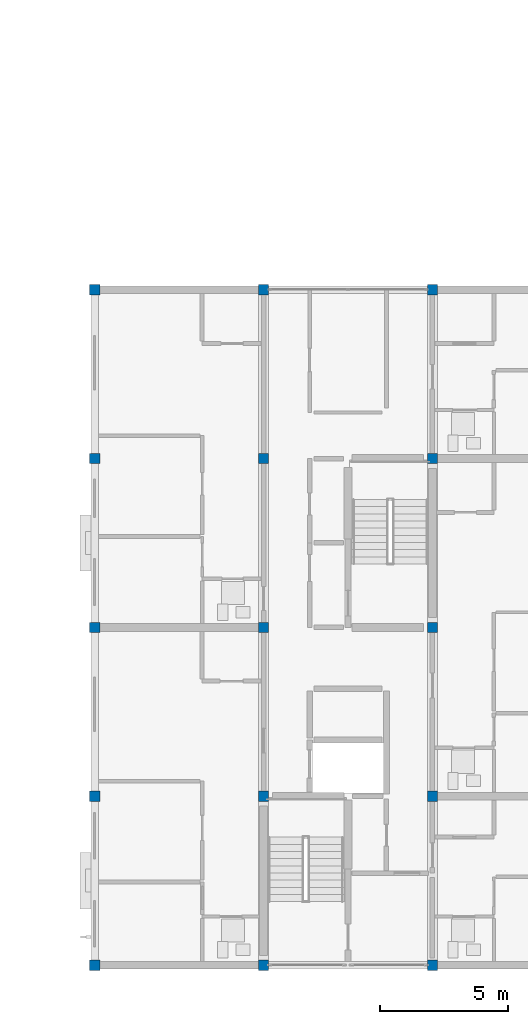
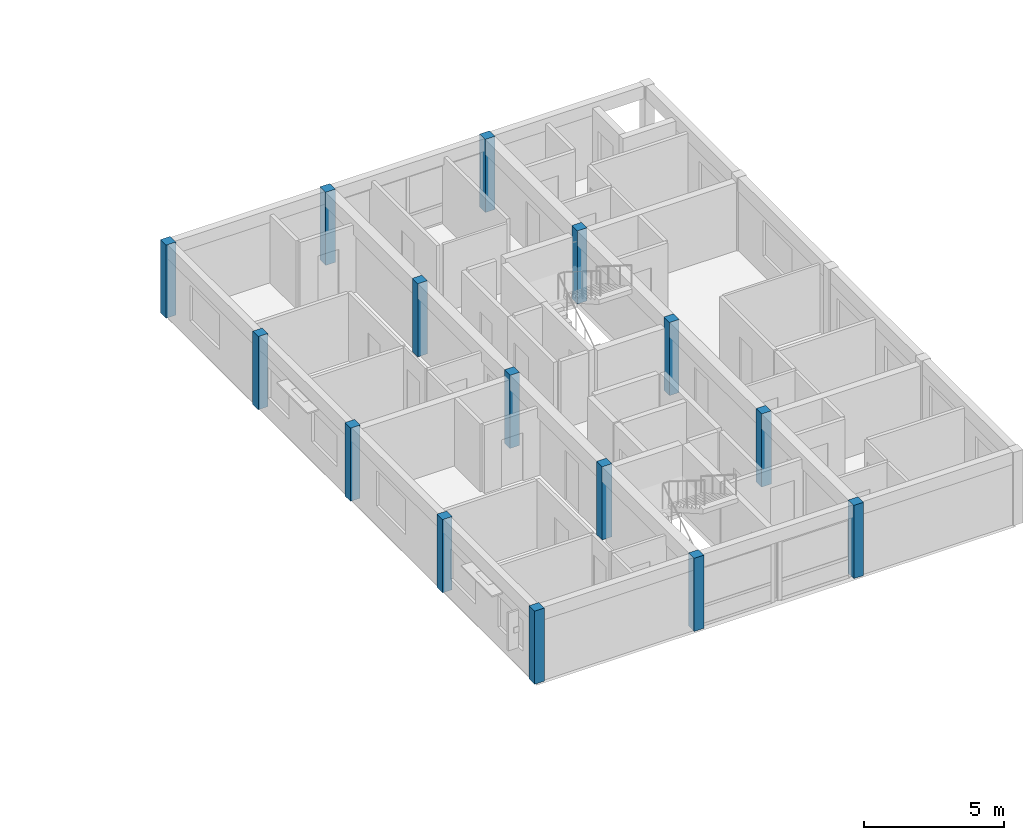
# One storey, part 2 of 49: 15 columns.
"""IFC4 building model written with IfcOpenShell, lengths in metres."""

from ifc_helpers import new_model, si_unit, direction, frame, origin, origin_2d, place, context, subcontext, project, spatial, rectangle, extrude, material, material_profile, profile_set, type_object, element, save


model = new_model("IFC4")

# Units and contexts
model_context = context("Model", 3, precision=1e-05, world=origin(), true_north=direction((0.0, 1.0)))
body_context = subcontext(model_context, "Body", "Model", "MODEL_VIEW")
ifc_project = project(units=[si_unit("LENGTHUNIT", "METRE"), si_unit("AREAUNIT", "SQUARE_METRE"), si_unit("VOLUMEUNIT", "CUBIC_METRE"), si_unit("PLANEANGLEUNIT", "RADIAN"), si_unit("MASSUNIT", "GRAM", prefix="KILO")], contexts=[model_context])

# Site, building, storey
site_placement = place(None, origin())
site = spatial("IfcSite", under=ifc_project, at=site_placement, CompositionType="ELEMENT")
building_placement = place(site_placement, origin())
building = spatial("IfcBuilding", under=site, at=building_placement, Name="Kernevlak Ridge Housing Community", CompositionType="ELEMENT")
storey_placement = place(building_placement, frame((0.0, 0.0, 30.800048828125)))
storey = spatial("IfcBuildingStorey", under=building, at=storey_placement, Name="L09", CompositionType="ELEMENT", Elevation=30.800048828125)

# Columns
ifc_material = material(Name="Concrete C35/45", Category="concrete")
ifc_material_profile = material_profile(ifc_material, rectangle(XDim=0.39990234375, YDim=0.39990234375, at=origin_2d()), Name="RC 400x400")
ifc_profile_set = profile_set([ifc_material_profile], Name="Concrete C35/45")
column_type = type_object("IfcColumnType", Name="C-05", PredefinedType="COLUMN", material=ifc_profile_set)
for number, where, z_axis, x_axis, name in (
    (1, (126.0, 15.60009765625, 0.0), (0.0, 0.0, 1.0), (1.0, 0.0, 0.0), "Column C-05 COL-C-L09-00-0"),
    (2, (132.60009765625, 15.60009765625, 0.0), (0.0, 0.0, 1.0), (1.0, 0.0, 0.0), "Column C-05 COL-C-L09-00-1"),
    (3, (139.199951171875, 15.60009765625, 0.0), (0.0, 0.0, 1.0), (1.0, 0.0, 0.0), "Column C-05 COL-C-L09-00-2"),
    (4, (126.0, 22.199951171875, 0.0), (0.0, 0.0, 1.0), (1.0, 0.0, 0.0), "Column C-05 COL-C-L09-01-0"),
    (5, (132.60009765625, 22.199951171875, 0.0), (0.0, 0.0, 1.0), (1.0, 0.0, 0.0), "Column C-05 COL-C-L09-01-1"),
    (6, (139.199951171875, 22.199951171875, 0.0), (0.0, 0.0, 1.0), (1.0, 0.0, 0.0), "Column C-05 COL-C-L09-01-2"),
    (7, (126.0, 28.800048828125, 0.0), (0.0, 0.0, 1.0), (1.0, 0.0, 0.0), "Column C-05 COL-C-L09-02-0"),
    (8, (132.60009765625, 28.800048828125, 0.0), (0.0, 0.0, 1.0), (1.0, 0.0, 0.0), "Column C-05 COL-C-L09-02-1"),
    (9, (139.199951171875, 28.800048828125, 0.0), (0.0, 0.0, 1.0), (1.0, 0.0, 0.0), "Column C-05 COL-C-L09-02-2"),
    (10, (126.0, 35.39990234375, 0.0), (0.0, 0.0, 1.0), (1.0, 0.0, 0.0), "Column C-05 COL-C-L09-03-0"),
    (11, (132.60009765625, 35.39990234375, 0.0), (0.0, 0.0, 1.0), (1.0, 0.0, 0.0), "Column C-05 COL-C-L09-03-1"),
    (12, (139.199951171875, 35.39990234375, 0.0), (0.0, 0.0, 1.0), (1.0, 0.0, 0.0), "Column C-05 COL-C-L09-03-2"),
    (13, (126.0, 42.0, 0.0), (0.0, 0.0, 1.0), (1.0, 0.0, 0.0), "Column C-05 COL-C-L09-04-0"),
    (14, (132.60009765625, 42.0, 0.0), (0.0, 0.0, 1.0), (1.0, 0.0, 0.0), "Column C-05 COL-C-L09-04-1"),
    (15, (139.199951171875, 42.0, 0.0), (0.0, 0.0, 1.0), (1.0, 0.0, 0.0), "Column C-05 COL-C-L09-04-2"),
):
    element("IfcColumn", number, at=place(storey_placement, frame(where, z_axis=z_axis, x_axis=x_axis)), inside=storey, type_object=column_type, Name=name, PredefinedType="COLUMN", context=body_context, shape_type="SweptSolid", body=[
        extrude(rectangle(XDim=0.39990234375, YDim=0.39990234375, at=origin_2d()), origin(), (0.0, 0.0, 1.0), 3.199951171875),
    ])

save(model, "model.ifc")
